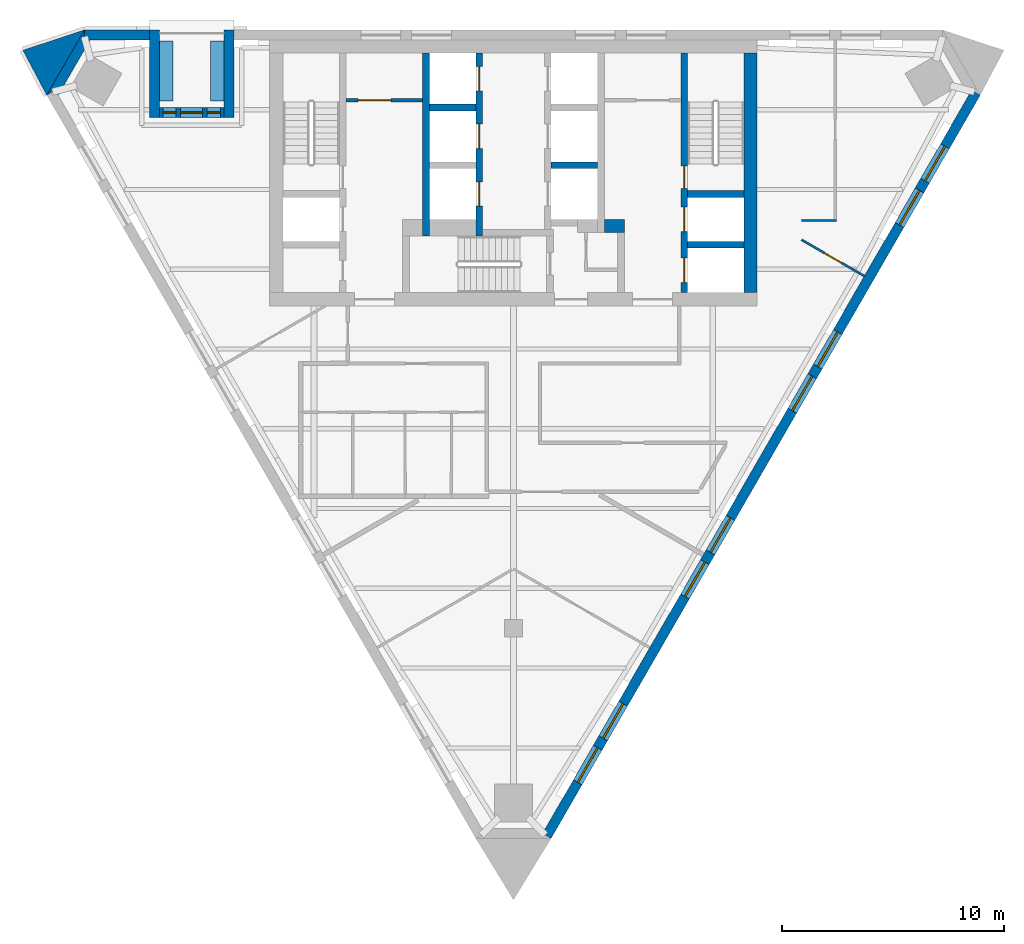
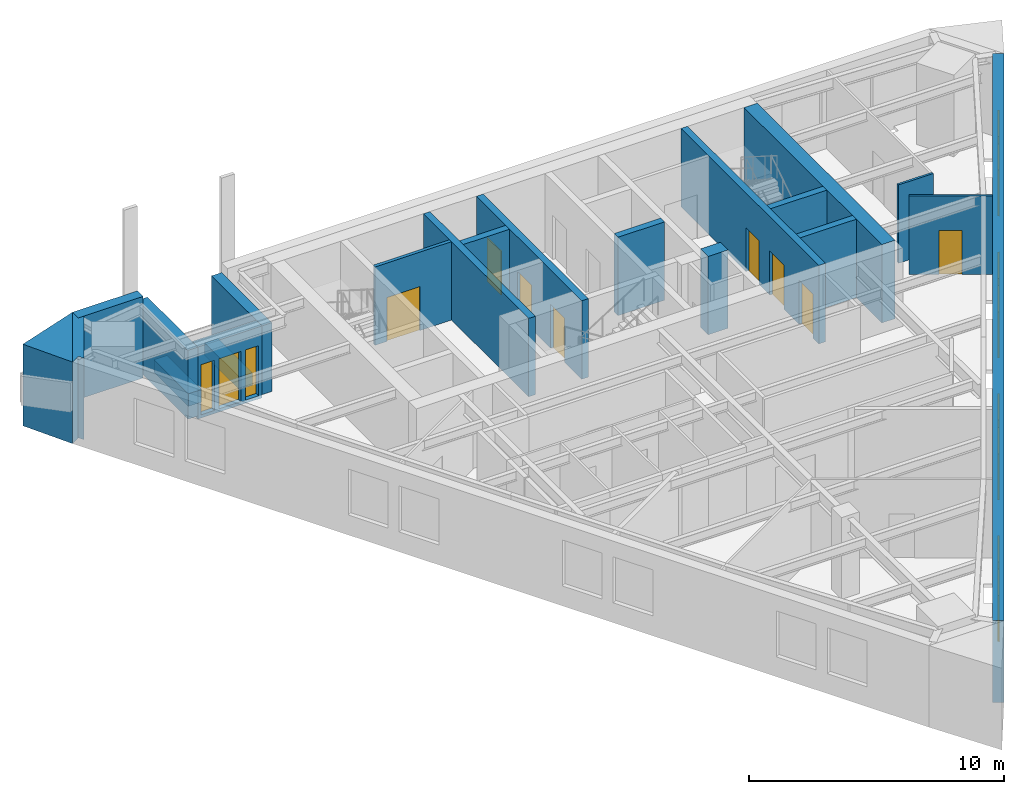
# One storey, part 4 of 6: 21 walls, 10 windows, 9 doors, 19 openings.
"""IFC4 building model written with IfcOpenShell, lengths in metres."""

from ifc_helpers import new_model, si_unit, direction, frame, frame_2d, origin, place, context, subcontext, project, spatial, polyline, rectangle, outline, extrude, material, layer, layer_set, type_object, element, fill, save


model = new_model("IFC4")

# Units and contexts
model_context = context("Model", 3, precision=1e-05, world=origin(), true_north=direction((0.0, 1.0)))
body_context = subcontext(model_context, "Body", "Model", "MODEL_VIEW")
ifc_project = project(units=[si_unit("LENGTHUNIT", "METRE"), si_unit("AREAUNIT", "SQUARE_METRE"), si_unit("VOLUMEUNIT", "CUBIC_METRE"), si_unit("PLANEANGLEUNIT", "RADIAN"), si_unit("MASSUNIT", "GRAM", prefix="KILO")], contexts=[model_context])

# Site, building, storey
site_placement = place(None, origin())
site = spatial("IfcSite", under=ifc_project, at=site_placement, CompositionType="ELEMENT")
building_placement = place(site_placement, origin())
building = spatial("IfcBuilding", under=site, at=building_placement, Name="Aloe Facet Convention Tower", CompositionType="ELEMENT")
storey_placement = place(building_placement, frame((0.0, 0.0, 191.89990234375)))
storey = spatial("IfcBuildingStorey", under=building, at=storey_placement, Name="L48", CompositionType="ELEMENT", Elevation=191.89990234375)

# Wall, opening, door
ifc_material_1 = material(Name="Concrete blockwork partition", Category="masonry")
ifc_layer_1 = layer(ifc_material_1, 0.14990234375)
ifc_layer_set_1 = layer_set([ifc_layer_1], Name="CR-W-PART150")
wall_type_1 = type_object("IfcWallType", Name="CR-W-PART150", PredefinedType="PARTITIONING", material=ifc_layer_set_1)
wall_1_placement = place(storey_placement, frame((72.449951171875, 131.824951171875, 0.0), z_axis=(0.0, 0.0, 1.0), x_axis=(1.0, 0.0, 0.0)))
wall_1 = element("IfcWall", 1, at=wall_1_placement, inside=storey, type_object=wall_type_1, Name="Core partition L48-007", PredefinedType="PARTITIONING", context=body_context, shape_type="SweptSolid", body=[
    extrude(rectangle(XDim=3.449951171875, YDim=0.14990234375, at=frame_2d((1.72509765625, 0.0))), origin(), (0.0, 0.0, 1.0), 3.75),
])
opening_1_placement = place(wall_1_placement, frame((0.52490234375, 0.0, 0.0)))
opening_1 = element("IfcOpeningElement", 2, at=opening_1_placement, cuts=wall_1, Name="Opening L48-CD14", PredefinedType="OPENING", context=body_context, shape_type="SweptSolid", body=[
    extrude(rectangle(XDim=1.5, YDim=2.10009765625, at=frame_2d((0.75, 1.050048828125))), frame((0.0, 0.0849609375, 0.0), z_axis=(0.0, -1.0, 0.0), x_axis=(1.0, 0.0, 0.0)), (0.0, 0.0, 1.0), 0.169921875),
])
ifc_material_2 = material(Name="Steel fire-resisting door set FD60", Category="steel")
door_type_1 = type_object("IfcDoorType", Name="CR-D-REFUGE-1500-FD60-DD", OperationType="DOUBLE_DOOR_DOUBLE_SWING", PredefinedType="DOOR", material=ifc_material_2)
door_1_placement = place(opening_1_placement, origin())
door_1 = element("IfcDoor", 3, at=door_1_placement, inside=storey, type_object=door_type_1, Name="Core door L48-CD14", OperationType="DOUBLE_DOOR_DOUBLE_SWING", OverallHeight=2.10009765625, OverallWidth=1.5, PredefinedType="DOOR", context=body_context, shape_type="SweptSolid", body=[
    extrude(rectangle(XDim=1.5, YDim=2.10009765625, at=frame_2d((0.75, 1.050048828125))), frame((0.0, 0.02490234375, 0.0), z_axis=(0.0, -1.0, 0.0), x_axis=(1.0, 0.0, 0.0)), (0.0, 0.0, 1.0), 0.050048828125),
])
fill(opening_1, door_1)

# Walls
ifc_material_3 = material(Name="Concrete C50/60", Category="concrete")
ifc_layer_2 = layer(ifc_material_3, 0.300048828125)
ifc_layer_set_2 = layer_set([ifc_layer_2], Name="CR-W-RC300-C5060")
wall_type_2 = type_object("IfcWallType", Name="CR-W-RC300-C5060", PredefinedType="SOLIDWALL", material=ifc_layer_set_2)
wall_2_placement = place(storey_placement, frame((76.050048828125, 133.949951171875, 0.0), z_axis=(0.0, 0.0, 1.0), x_axis=(0.0, -1.0, 0.0)))
element("IfcWall", 4, at=wall_2_placement, inside=storey, type_object=wall_type_2, Name="Core wall L48-010", PredefinedType="SOLIDWALL", context=body_context, shape_type="SweptSolid", body=[
    extrude(rectangle(XDim=8.25, YDim=0.300048828125, at=frame_2d((4.125, 0.0))), origin(), (0.0, 0.0, 1.0), 3.75),
])
wall_3_placement = place(storey_placement, frame((76.199951171875, 131.5, 0.0), z_axis=(0.0, 0.0, 1.0), x_axis=(1.0, 0.0, 0.0)))
element("IfcWall", 5, at=wall_3_placement, inside=storey, type_object=wall_type_2, Name="Core wall L48-011", PredefinedType="SOLIDWALL", context=body_context, shape_type="SweptSolid", body=[
    extrude(rectangle(XDim=2.10009765625, YDim=0.300048828125, at=frame_2d((1.050048828125, 0.0))), origin(), (0.0, 0.0, 1.0), 3.75),
])

# Wall, openings, doors
wall_4_placement = place(storey_placement, frame((78.449951171875, 133.949951171875, 0.0), z_axis=(0.0, 0.0, 1.0), x_axis=(0.0, -1.0, 0.0)))
wall_4 = element("IfcWall", 6, at=wall_4_placement, inside=storey, type_object=wall_type_2, Name="Core wall L48-014", PredefinedType="SOLIDWALL", context=body_context, shape_type="SweptSolid", body=[
    extrude(rectangle(XDim=8.25, YDim=0.300048828125, at=frame_2d((4.125, 0.0))), origin(), (0.0, 0.0, 1.0), 3.75),
])
opening_2_placement = place(wall_4_placement, frame((0.60009765625, 0.0, 0.0)))
opening_2 = element("IfcOpeningElement", 7, at=opening_2_placement, cuts=wall_4, Name="Opening LD-B1-L48", PredefinedType="OPENING", context=body_context, shape_type="SweptSolid", body=[
    extrude(rectangle(XDim=1.10009765625, YDim=2.10009765625, at=frame_2d((0.550048828125, 1.050048828125))), frame((0.0, 0.16015625, 0.0), z_axis=(0.0, -1.0, 0.0), x_axis=(1.0, 0.0, 0.0)), (0.0, 0.0, 1.0), 0.320068359375),
])
opening_3_placement = place(wall_4_placement, frame((3.199951171875, 0.0, 0.0)))
opening_3 = element("IfcOpeningElement", 8, at=opening_3_placement, cuts=wall_4, Name="Opening LD-B2-L48", PredefinedType="OPENING", context=body_context, shape_type="SweptSolid", body=[
    extrude(rectangle(XDim=1.10009765625, YDim=2.10009765625, at=frame_2d((0.550048828125, 1.050048828125))), frame((0.0, 0.16015625, 0.0), z_axis=(0.0, -1.0, 0.0), x_axis=(1.0, 0.0, 0.0)), (0.0, 0.0, 1.0), 0.320068359375),
])
opening_4_placement = place(wall_4_placement, frame((5.800048828125, 0.0, 0.0)))
opening_4 = element("IfcOpeningElement", 9, at=opening_4_placement, cuts=wall_4, Name="Opening LD-B3-L48", PredefinedType="OPENING", context=body_context, shape_type="SweptSolid", body=[
    extrude(rectangle(XDim=1.10009765625, YDim=2.10009765625, at=frame_2d((0.550048828125, 1.050048828125))), frame((0.0, 0.16015625, 0.0), z_axis=(0.0, -1.0, 0.0), x_axis=(1.0, 0.0, 0.0)), (0.0, 0.0, 1.0), 0.320068359375),
])
ifc_material_4 = material(Name="Stainless steel sliding landing door", Category="steel")
door_type_2 = type_object("IfcDoorType", Name="CR-LD-1100-FD60-RIGHT", OperationType="SLIDING_TO_RIGHT", PredefinedType="DOOR", material=ifc_material_4)
door_2_placement = place(opening_2_placement, origin())
door_2 = element("IfcDoor", 10, at=door_2_placement, inside=storey, type_object=door_type_2, Name="Landing door B1 L48", OperationType="SLIDING_TO_RIGHT", OverallHeight=2.10009765625, OverallWidth=1.10009765625, PredefinedType="DOOR", context=body_context, shape_type="SweptSolid", body=[
    extrude(rectangle(XDim=1.10009765625, YDim=2.10009765625, at=frame_2d((0.550048828125, 1.050048828125))), frame((0.0, 0.02490234375, 0.0), z_axis=(0.0, -1.0, 0.0), x_axis=(1.0, 0.0, 0.0)), (0.0, 0.0, 1.0), 0.050048828125),
])
fill(opening_2, door_2)
door_3_placement = place(opening_3_placement, origin())
door_3 = element("IfcDoor", 11, at=door_3_placement, inside=storey, type_object=door_type_2, Name="Landing door B2 L48", OperationType="SLIDING_TO_RIGHT", OverallHeight=2.10009765625, OverallWidth=1.10009765625, PredefinedType="DOOR", context=body_context, shape_type="SweptSolid", body=[
    extrude(rectangle(XDim=1.10009765625, YDim=2.10009765625, at=frame_2d((0.550048828125, 1.050048828125))), frame((0.0, 0.02490234375, 0.0), z_axis=(0.0, -1.0, 0.0), x_axis=(1.0, 0.0, 0.0)), (0.0, 0.0, 1.0), 0.050048828125),
])
fill(opening_3, door_3)
door_4_placement = place(opening_4_placement, origin())
door_4 = element("IfcDoor", 12, at=door_4_placement, inside=storey, type_object=door_type_2, Name="Landing door B3 L48", OperationType="SLIDING_TO_RIGHT", OverallHeight=2.10009765625, OverallWidth=1.10009765625, PredefinedType="DOOR", context=body_context, shape_type="SweptSolid", body=[
    extrude(rectangle(XDim=1.10009765625, YDim=2.10009765625, at=frame_2d((0.550048828125, 1.050048828125))), frame((0.0, 0.02490234375, 0.0), z_axis=(0.0, -1.0, 0.0), x_axis=(1.0, 0.0, 0.0)), (0.0, 0.0, 1.0), 0.050048828125),
])
fill(opening_4, door_4)

# Wall
wall_5_placement = place(storey_placement, frame((81.699951171875, 128.89990234375, 0.0), z_axis=(0.0, 0.0, 1.0), x_axis=(1.0, 0.0, 0.0)))
element("IfcWall", 13, at=wall_5_placement, inside=storey, type_object=wall_type_2, Name="Core wall L48-019", PredefinedType="SOLIDWALL", context=body_context, shape_type="SweptSolid", body=[
    extrude(rectangle(XDim=2.10009765625, YDim=0.300048828125, at=frame_2d((1.050048828125, 0.0))), origin(), (0.0, 0.0, 1.0), 3.75),
])

# Wall, openings, doors
wall_6_placement = place(storey_placement, frame((87.699951171875, 133.949951171875, 0.0), z_axis=(0.0, 0.0, 1.0), x_axis=(0.0, -1.0, 0.0)))
wall_6 = element("IfcWall", 14, at=wall_6_placement, inside=storey, type_object=wall_type_2, Name="Core wall L48-028", PredefinedType="SOLIDWALL", context=body_context, shape_type="SweptSolid", body=[
    extrude(rectangle(XDim=10.800048828125, YDim=0.300048828125, at=frame_2d((5.39990234375, 0.0))), origin(), (0.0, 0.0, 1.0), 3.75),
])
opening_5_placement = place(wall_6_placement, frame((6.949951171875, 0.0, 0.0)))
opening_5 = element("IfcOpeningElement", 15, at=opening_5_placement, cuts=wall_6, Name="Opening LD-FF2-L48", PredefinedType="OPENING", context=body_context, shape_type="SweptSolid", body=[
    extrude(rectangle(XDim=1.10009765625, YDim=2.10009765625, at=frame_2d((0.550048828125, 1.050048828125))), frame((0.0, 0.16015625, 0.0), z_axis=(0.0, -1.0, 0.0), x_axis=(1.0, 0.0, 0.0)), (0.0, 0.0, 1.0), 0.320068359375),
])
opening_6_placement = place(wall_6_placement, frame((5.10009765625, 0.0, 0.0)))
opening_6 = element("IfcOpeningElement", 16, at=opening_6_placement, cuts=wall_6, Name="Opening L48-CD17", PredefinedType="OPENING", context=body_context, shape_type="SweptSolid", body=[
    extrude(rectangle(XDim=1.0, YDim=2.10009765625, at=frame_2d((0.5, 1.050048828125))), frame((0.0, 0.16015625, 0.0), z_axis=(0.0, -1.0, 0.0), x_axis=(1.0, 0.0, 0.0)), (0.0, 0.0, 1.0), 0.320068359375),
])
opening_7_placement = place(wall_6_placement, frame((9.25, 0.0, 0.0)))
opening_7 = element("IfcOpeningElement", 17, at=opening_7_placement, cuts=wall_6, Name="Opening LD-SV1-L48", PredefinedType="OPENING", context=body_context, shape_type="SweptSolid", body=[
    extrude(rectangle(XDim=1.10009765625, YDim=2.10009765625, at=frame_2d((0.550048828125, 1.050048828125))), frame((0.0, 0.16015625, 0.0), z_axis=(0.0, -1.0, 0.0), x_axis=(1.0, 0.0, 0.0)), (0.0, 0.0, 1.0), 0.320068359375),
])
ifc_material_5 = material(Name="Steel fire-resisting door set FD120", Category="steel")
door_type_3 = type_object("IfcDoorType", Name="CR-D-STAIR-1000-FD120-SLEFT", OperationType="SINGLE_SWING_LEFT", PredefinedType="DOOR", material=ifc_material_5)
door_5_placement = place(opening_6_placement, origin())
door_5 = element("IfcDoor", 18, at=door_5_placement, inside=storey, type_object=door_type_3, Name="Core door L48-CD17", OperationType="SINGLE_SWING_LEFT", OverallHeight=2.10009765625, OverallWidth=1.0, PredefinedType="DOOR", context=body_context, shape_type="SweptSolid", body=[
    extrude(rectangle(XDim=1.0, YDim=2.10009765625, at=frame_2d((0.5, 1.050048828125))), frame((0.0, 0.02490234375, 0.0), z_axis=(0.0, -1.0, 0.0), x_axis=(1.0, 0.0, 0.0)), (0.0, 0.0, 1.0), 0.050048828125),
])
fill(opening_6, door_5)
ifc_material_6 = material(Name="Stainless steel sliding landing door", Category="steel")
door_type_4 = type_object("IfcDoorType", Name="CR-LD-1100-FD120-_LEFT", OperationType="SLIDING_TO_LEFT", PredefinedType="DOOR", material=ifc_material_6)
door_6_placement = place(opening_5_placement, origin())
door_6 = element("IfcDoor", 19, at=door_6_placement, inside=storey, type_object=door_type_4, Name="Landing door FF2 L48", OperationType="SLIDING_TO_LEFT", OverallHeight=2.10009765625, OverallWidth=1.10009765625, PredefinedType="DOOR", context=body_context, shape_type="SweptSolid", body=[
    extrude(rectangle(XDim=1.10009765625, YDim=2.10009765625, at=frame_2d((0.550048828125, 1.050048828125))), frame((0.0, 0.02490234375, 0.0), z_axis=(0.0, -1.0, 0.0), x_axis=(1.0, 0.0, 0.0)), (0.0, 0.0, 1.0), 0.050048828125),
])
fill(opening_5, door_6)
door_7_placement = place(opening_7_placement, origin())
door_7 = element("IfcDoor", 20, at=door_7_placement, inside=storey, type_object=door_type_4, Name="Landing door SV1 L48", OperationType="SLIDING_TO_LEFT", OverallHeight=2.10009765625, OverallWidth=1.10009765625, PredefinedType="DOOR", context=body_context, shape_type="SweptSolid", body=[
    extrude(rectangle(XDim=1.10009765625, YDim=2.10009765625, at=frame_2d((0.550048828125, 1.050048828125))), frame((0.0, 0.02490234375, 0.0), z_axis=(0.0, -1.0, 0.0), x_axis=(1.0, 0.0, 0.0)), (0.0, 0.0, 1.0), 0.050048828125),
])
fill(opening_7, door_7)

# Walls
for number, where, z_axis, x_axis, name in (
    (21, (87.85009765625, 127.60009765625, 0.0), (0.0, 0.0, 1.0), (1.0, 0.0, 0.0), "Core wall L48-029"),
    (22, (87.85009765625, 125.300048828125, 0.0), (0.0, 0.0, 1.0), (1.0, 0.0, 0.0), "Core wall L48-030"),
):
    element("IfcWall", number, at=place(storey_placement, frame(where, z_axis=z_axis, x_axis=x_axis)), inside=storey, type_object=wall_type_2, Name=name, PredefinedType="SOLIDWALL", context=body_context, shape_type="SweptSolid", body=[
        extrude(rectangle(XDim=2.5498046875, YDim=0.300048828125, at=frame_2d((1.27490234375, 0.0))), origin(), (0.0, 0.0, 1.0), 3.75),
    ])
ifc_material_7 = material(Name="Concrete C50/60", Category="concrete")
ifc_layer_3 = layer(ifc_material_7, 0.60009765625)
ifc_layer_set_3 = layer_set([ifc_layer_3], Name="CR-W-RC600-C5060")
wall_type_3 = type_object("IfcWallType", Name="CR-W-RC600-C5060", PredefinedType="SOLIDWALL", material=ifc_layer_set_3)
wall_7_placement = place(storey_placement, frame((84.10009765625, 126.14990234375, 0.0), z_axis=(0.0, 0.0, 1.0), x_axis=(1.0, 0.0, 0.0)))
element("IfcWall", 23, at=wall_7_placement, inside=storey, type_object=wall_type_3, Name="Core wall L48-026", PredefinedType="SOLIDWALL", context=body_context, shape_type="SweptSolid", body=[
    extrude(rectangle(XDim=0.89990234375, YDim=0.60009765625, at=frame_2d((0.449951171875, 0.0))), origin(), (0.0, 0.0, 1.0), 3.75),
])
wall_8_placement = place(storey_placement, frame((90.699951171875, 133.949951171875, 0.0), z_axis=(0.0, 0.0, 1.0), x_axis=(0.0, -1.0, 0.0)))
element("IfcWall", 24, at=wall_8_placement, inside=storey, type_object=wall_type_3, Name="Core wall L48-031", PredefinedType="SOLIDWALL", context=body_context, shape_type="SweptSolid", body=[
    extrude(rectangle(XDim=10.800048828125, YDim=0.60009765625, at=frame_2d((5.39990234375, 0.0))), origin(), (0.0, 0.0, 1.0), 3.75),
])
ifc_material_8 = material(Name="Precast concrete C40/50", Category="concrete")
ifc_layer_4 = layer(ifc_material_8, 0.60009765625)
ifc_layer_set_4 = layer_set([ifc_layer_4], Name="EV-PLANTER")
wall_type_4 = type_object("IfcWallType", Name="EV-PLANTER", PredefinedType="STANDARD", material=ifc_layer_set_4)
for number, where, z_axis, x_axis, name in (
    (25, (66.62646484375, 134.5, 0.0), (0.0, 0.0, 1.0), (0.0, -1.0, 0.0), "PLANTER T10-1"),
    (26, (64.326416015625, 134.5, 0.0), (0.0, 0.0, 1.0), (0.0, -1.0, 0.0), "PLANTER T10-2"),
):
    element("IfcWall", number, at=place(storey_placement, frame(where, z_axis=z_axis, x_axis=x_axis)), inside=storey, type_object=wall_type_4, Name=name, PredefinedType="STANDARD", context=body_context, shape_type="SweptSolid", body=[
        extrude(rectangle(XDim=2.699951171875, YDim=0.60009765625, at=frame_2d((1.35009765625, 0.0))), origin(), (0.0, 0.0, 1.0), 0.60009765625),
    ])
ifc_material_9 = material(Name="Precast concrete C40/50", Category="concrete")
ifc_layer_5 = layer(ifc_material_9, 0.449951171875)
ifc_layer_set_5 = layer_set([ifc_layer_5], Name="EV-WALL-PIER")
wall_type_5 = type_object("IfcWallType", Name="EV-WALL-PIER", PredefinedType="SOLIDWALL", material=ifc_layer_set_5)
wall_9_placement = place(storey_placement, frame((0.0, 0.0, -0.14990234375)))
element("IfcWall", 27, at=wall_9_placement, inside=storey, type_object=wall_type_5, Name="EP-L48-A", PredefinedType="SOLIDWALL", context=body_context, shape_type="SweptSolid", body=[
    extrude(outline(polyline([(60.635498046875, 135.0), (60.635498046875, 134.550048828125), (60.895263671875, 134.550048828125), (59.455078125, 132.055419921875), (59.3251953125, 132.280517578125), (58.935302734375, 132.055419921875), (60.635498046875, 135.0)])), origin(), (0.0, 0.0, 1.0), 3.89990234375),
])
ifc_material_10 = material(Name="Precast concrete C40/50", Category="concrete")
ifc_layer_6 = layer(ifc_material_10, 3.947998046875)
ifc_layer_set_6 = layer_set([ifc_layer_6], Name="EV-WALL-SPINE")
wall_type_6 = type_object("IfcWallType", Name="EV-WALL-SPINE", PredefinedType="SOLIDWALL", material=ifc_layer_set_6)
wall_10_placement = place(storey_placement, frame((0.0, 0.0, -0.14990234375)))
element("IfcWall", 28, at=wall_10_placement, inside=storey, type_object=wall_type_6, Name="SP-NW-L48", PredefinedType="SOLIDWALL", context=body_context, shape_type="SweptSolid", body=[
    extrude(outline(polyline([(60.635498046875, 135.0), (57.862060546875, 134.08203125), (58.935302734375, 132.055419921875), (60.635498046875, 135.0)])), origin(), (0.0, 0.0, 1.0), 3.89990234375),
])
ifc_material_11 = material(Name="Precast concrete C40/50", Category="concrete")
ifc_layer_7 = layer(ifc_material_11, 0.449951171875)
ifc_layer_set_7 = layer_set([ifc_layer_7], Name="EV-WALL-STONE")
wall_type_7 = type_object("IfcWallType", Name="EV-WALL-STONE", PredefinedType="SOLIDWALL", material=ifc_layer_set_7)
wall_11_placement = place(storey_placement, frame((63.576416015625, 134.77490234375, -0.14990234375), z_axis=(0.0, 0.0, 1.0), x_axis=(-1.0, 0.0, 0.0)))
element("IfcWall", 29, at=wall_11_placement, inside=storey, type_object=wall_type_7, Name="EW-L48-N02", PredefinedType="SOLIDWALL", context=body_context, shape_type="SweptSolid", body=[
    extrude(outline(polyline([(2.941162109375, 3.89990234375), (2.941162109375, 0.0), (0.0, 0.0), (0.0, 3.89990234375), (2.941162109375, 3.89990234375)])), frame((0.0, 0.22509765625, 0.0), z_axis=(0.0, -1.0, 0.0), x_axis=(1.0, 0.0, 0.0)), (0.0, 0.0, 1.0), 0.449951171875),
])

# Wall, openings, windows
wall_12_placement = place(storey_placement, frame((81.505126953125, 98.62744140625, -0.14990234375), z_axis=(0.0, 0.0, 1.0), x_axis=(0.500002199942, 0.866024133644, 0.0)))
wall_12 = element("IfcWall", 30, at=wall_12_placement, inside=storey, type_object=wall_type_7, Name="EW-L48-E01", PredefinedType="SOLIDWALL", context=body_context, shape_type="SweptSolid", body=[
    extrude(outline(polyline([(38.729248046875, 0.0), (38.729248046875, 3.89990234375), (0.0, 3.89990234375), (0.0, 0.0), (38.729248046875, 0.0)])), frame((0.0, 0.22509765625, 0.0), z_axis=(0.0, -1.0, 0.0), x_axis=(1.0, 0.0, 0.0)), (0.0, 0.0, 1.0), 0.449951171875),
])
opening_8_placement = place(wall_12_placement, frame((2.791259765625, 0.0, 0.949951171875)))
opening_8 = element("IfcOpeningElement", 31, at=opening_8_placement, cuts=wall_12, Name="Opening W-L48-E01", PredefinedType="OPENING", context=body_context, shape_type="SweptSolid", body=[
    extrude(rectangle(XDim=1.800048828125, YDim=2.199951171875, at=frame_2d((0.89990234375, 1.10009765625))), frame((0.0, 0.23486328125, 0.0), z_axis=(0.0, -1.0, 0.0), x_axis=(1.0, 0.0, 0.0)), (0.0, 0.0, 1.0), 0.469970703125),
])
opening_9_placement = place(wall_12_placement, frame((5.091064453125, 0.0, 0.949951171875)))
opening_9 = element("IfcOpeningElement", 32, at=opening_9_placement, cuts=wall_12, Name="Opening W-L48-E02", PredefinedType="OPENING", context=body_context, shape_type="SweptSolid", body=[
    extrude(rectangle(XDim=1.800048828125, YDim=2.199951171875, at=frame_2d((0.89990234375, 1.10009765625))), frame((0.0, 0.23486328125, 0.0), z_axis=(0.0, -1.0, 0.0), x_axis=(1.0, 0.0, 0.0)), (0.0, 0.0, 1.0), 0.469970703125),
])
opening_10_placement = place(wall_12_placement, frame((12.473388671875, 0.0, 0.949951171875)))
opening_10 = element("IfcOpeningElement", 33, at=opening_10_placement, cuts=wall_12, Name="Opening W-L48-E03", PredefinedType="OPENING", context=body_context, shape_type="SweptSolid", body=[
    extrude(rectangle(XDim=1.800048828125, YDim=2.199951171875, at=frame_2d((0.89990234375, 1.10009765625))), frame((0.0, 0.23486328125, 0.0), z_axis=(0.0, -1.0, 0.0), x_axis=(1.0, 0.0, 0.0)), (0.0, 0.0, 1.0), 0.469970703125),
])
opening_11_placement = place(wall_12_placement, frame((14.7734375, 0.0, 0.949951171875)))
opening_11 = element("IfcOpeningElement", 34, at=opening_11_placement, cuts=wall_12, Name="Opening W-L48-E04", PredefinedType="OPENING", context=body_context, shape_type="SweptSolid", body=[
    extrude(rectangle(XDim=1.800048828125, YDim=2.199951171875, at=frame_2d((0.89990234375, 1.10009765625))), frame((0.0, 0.23486328125, 0.0), z_axis=(0.0, -1.0, 0.0), x_axis=(1.0, 0.0, 0.0)), (0.0, 0.0, 1.0), 0.469970703125),
])
opening_12_placement = place(wall_12_placement, frame((22.15576171875, 0.0, 0.949951171875)))
opening_12 = element("IfcOpeningElement", 35, at=opening_12_placement, cuts=wall_12, Name="Opening W-L48-E05", PredefinedType="OPENING", context=body_context, shape_type="SweptSolid", body=[
    extrude(rectangle(XDim=1.800048828125, YDim=2.199951171875, at=frame_2d((0.89990234375, 1.10009765625))), frame((0.0, 0.23486328125, 0.0), z_axis=(0.0, -1.0, 0.0), x_axis=(1.0, 0.0, 0.0)), (0.0, 0.0, 1.0), 0.469970703125),
])
opening_13_placement = place(wall_12_placement, frame((24.455810546875, 0.0, 0.949951171875)))
opening_13 = element("IfcOpeningElement", 36, at=opening_13_placement, cuts=wall_12, Name="Opening W-L48-E06", PredefinedType="OPENING", context=body_context, shape_type="SweptSolid", body=[
    extrude(rectangle(XDim=1.800048828125, YDim=2.199951171875, at=frame_2d((0.89990234375, 1.10009765625))), frame((0.0, 0.23486328125, 0.0), z_axis=(0.0, -1.0, 0.0), x_axis=(1.0, 0.0, 0.0)), (0.0, 0.0, 1.0), 0.469970703125),
])
opening_14_placement = place(wall_12_placement, frame((31.838134765625, 0.0, 0.949951171875)))
opening_14 = element("IfcOpeningElement", 37, at=opening_14_placement, cuts=wall_12, Name="Opening W-L48-E07", PredefinedType="OPENING", context=body_context, shape_type="SweptSolid", body=[
    extrude(rectangle(XDim=1.800048828125, YDim=2.199951171875, at=frame_2d((0.89990234375, 1.10009765625))), frame((0.0, 0.23486328125, 0.0), z_axis=(0.0, -1.0, 0.0), x_axis=(1.0, 0.0, 0.0)), (0.0, 0.0, 1.0), 0.469970703125),
])
opening_15_placement = place(wall_12_placement, frame((34.13818359375, 0.0, 0.949951171875)))
opening_15 = element("IfcOpeningElement", 38, at=opening_15_placement, cuts=wall_12, Name="Opening W-L48-E08", PredefinedType="OPENING", context=body_context, shape_type="SweptSolid", body=[
    extrude(rectangle(XDim=1.800048828125, YDim=2.199951171875, at=frame_2d((0.89990234375, 1.10009765625))), frame((0.0, 0.23486328125, 0.0), z_axis=(0.0, -1.0, 0.0), x_axis=(1.0, 0.0, 0.0)), (0.0, 0.0, 1.0), 0.469970703125),
])
ifc_material_12 = material(Name="Aluminium frame, clear double glazing", Category="aluminium")
window_type_1 = type_object("IfcWindowType", Name="EV-WIN-O18", PartitioningType="SINGLE_PANEL", PredefinedType="WINDOW", material=ifc_material_12)
window_1_placement = place(opening_8_placement, origin())
window_1 = element("IfcWindow", 39, at=window_1_placement, inside=storey, type_object=window_type_1, Name="W-L48-E01", OverallHeight=2.199951171875, OverallWidth=1.800048828125, PartitioningType="SINGLE_PANEL", PredefinedType="WINDOW", context=body_context, shape_type="SweptSolid", body=[
    extrude(rectangle(XDim=1.800048828125, YDim=2.199951171875, at=frame_2d((0.89990234375, 1.10009765625))), frame((0.0, 0.030029296875, 0.0), z_axis=(0.0, -1.0, 0.0), x_axis=(1.0, 0.0, 0.0)), (0.0, 0.0, 1.0), 0.06005859375),
])
fill(opening_8, window_1)
window_2_placement = place(opening_9_placement, origin())
window_2 = element("IfcWindow", 40, at=window_2_placement, inside=storey, type_object=window_type_1, Name="W-L48-E02", OverallHeight=2.199951171875, OverallWidth=1.800048828125, PartitioningType="SINGLE_PANEL", PredefinedType="WINDOW", context=body_context, shape_type="SweptSolid", body=[
    extrude(rectangle(XDim=1.800048828125, YDim=2.199951171875, at=frame_2d((0.89990234375, 1.10009765625))), frame((0.0, 0.030029296875, 0.0), z_axis=(0.0, -1.0, 0.0), x_axis=(1.0, 0.0, 0.0)), (0.0, 0.0, 1.0), 0.06005859375),
])
fill(opening_9, window_2)
window_3_placement = place(opening_10_placement, origin())
window_3 = element("IfcWindow", 41, at=window_3_placement, inside=storey, type_object=window_type_1, Name="W-L48-E03", OverallHeight=2.199951171875, OverallWidth=1.800048828125, PartitioningType="SINGLE_PANEL", PredefinedType="WINDOW", context=body_context, shape_type="SweptSolid", body=[
    extrude(rectangle(XDim=1.800048828125, YDim=2.199951171875, at=frame_2d((0.89990234375, 1.10009765625))), frame((0.0, 0.030029296875, 0.0), z_axis=(0.0, -1.0, 0.0), x_axis=(1.0, 0.0, 0.0)), (0.0, 0.0, 1.0), 0.06005859375),
])
fill(opening_10, window_3)
window_4_placement = place(opening_11_placement, origin())
window_4 = element("IfcWindow", 42, at=window_4_placement, inside=storey, type_object=window_type_1, Name="W-L48-E04", OverallHeight=2.199951171875, OverallWidth=1.800048828125, PartitioningType="SINGLE_PANEL", PredefinedType="WINDOW", context=body_context, shape_type="SweptSolid", body=[
    extrude(rectangle(XDim=1.800048828125, YDim=2.199951171875, at=frame_2d((0.89990234375, 1.10009765625))), frame((0.0, 0.030029296875, 0.0), z_axis=(0.0, -1.0, 0.0), x_axis=(1.0, 0.0, 0.0)), (0.0, 0.0, 1.0), 0.06005859375),
])
fill(opening_11, window_4)
window_5_placement = place(opening_12_placement, origin())
window_5 = element("IfcWindow", 43, at=window_5_placement, inside=storey, type_object=window_type_1, Name="W-L48-E05", OverallHeight=2.199951171875, OverallWidth=1.800048828125, PartitioningType="SINGLE_PANEL", PredefinedType="WINDOW", context=body_context, shape_type="SweptSolid", body=[
    extrude(rectangle(XDim=1.800048828125, YDim=2.199951171875, at=frame_2d((0.89990234375, 1.10009765625))), frame((0.0, 0.030029296875, 0.0), z_axis=(0.0, -1.0, 0.0), x_axis=(1.0, 0.0, 0.0)), (0.0, 0.0, 1.0), 0.06005859375),
])
fill(opening_12, window_5)
window_6_placement = place(opening_13_placement, origin())
window_6 = element("IfcWindow", 44, at=window_6_placement, inside=storey, type_object=window_type_1, Name="W-L48-E06", OverallHeight=2.199951171875, OverallWidth=1.800048828125, PartitioningType="SINGLE_PANEL", PredefinedType="WINDOW", context=body_context, shape_type="SweptSolid", body=[
    extrude(rectangle(XDim=1.800048828125, YDim=2.199951171875, at=frame_2d((0.89990234375, 1.10009765625))), frame((0.0, 0.030029296875, 0.0), z_axis=(0.0, -1.0, 0.0), x_axis=(1.0, 0.0, 0.0)), (0.0, 0.0, 1.0), 0.06005859375),
])
fill(opening_13, window_6)
window_7_placement = place(opening_14_placement, origin())
window_7 = element("IfcWindow", 45, at=window_7_placement, inside=storey, type_object=window_type_1, Name="W-L48-E07", OverallHeight=2.199951171875, OverallWidth=1.800048828125, PartitioningType="SINGLE_PANEL", PredefinedType="WINDOW", context=body_context, shape_type="SweptSolid", body=[
    extrude(rectangle(XDim=1.800048828125, YDim=2.199951171875, at=frame_2d((0.89990234375, 1.10009765625))), frame((0.0, 0.030029296875, 0.0), z_axis=(0.0, -1.0, 0.0), x_axis=(1.0, 0.0, 0.0)), (0.0, 0.0, 1.0), 0.06005859375),
])
fill(opening_14, window_7)
window_8_placement = place(opening_15_placement, origin())
window_8 = element("IfcWindow", 46, at=window_8_placement, inside=storey, type_object=window_type_1, Name="W-L48-E08", OverallHeight=2.199951171875, OverallWidth=1.800048828125, PartitioningType="SINGLE_PANEL", PredefinedType="WINDOW", context=body_context, shape_type="SweptSolid", body=[
    extrude(rectangle(XDim=1.800048828125, YDim=2.199951171875, at=frame_2d((0.89990234375, 1.10009765625))), frame((0.0, 0.030029296875, 0.0), z_axis=(0.0, -1.0, 0.0), x_axis=(1.0, 0.0, 0.0)), (0.0, 0.0, 1.0), 0.06005859375),
])
fill(opening_15, window_8)

# Walls
for number, where, z_axis, x_axis, name in (
    (47, (67.151611328125, 135.0, 0.0), (0.0, 0.0, 1.0), (0.0, -1.0, 0.0), "TW-T10-1"),
    (48, (63.801513671875, 135.0, 0.0), (0.0, 0.0, 1.0), (0.0, -1.0, 0.0), "TW-T10-2"),
):
    element("IfcWall", number, at=place(storey_placement, frame(where, z_axis=z_axis, x_axis=x_axis)), inside=storey, type_object=wall_type_7, Name=name, PredefinedType="SOLIDWALL", context=body_context, shape_type="SweptSolid", body=[
        extrude(rectangle(XDim=3.949951171875, YDim=0.449951171875, at=frame_2d((1.97509765625, 0.0))), origin(), (0.0, 0.0, 1.0), 3.2900390625),
    ])

# Wall, openings, door, windows
wall_13_placement = place(storey_placement, frame((66.926513671875, 131.27490234375, -0.14990234375), z_axis=(0.0, 0.0, 1.0), x_axis=(-1.0, 0.0, 0.0)))
wall_13 = element("IfcWall", 49, at=wall_13_placement, inside=storey, type_object=wall_type_7, Name="TB-T10-L48", PredefinedType="SOLIDWALL", context=body_context, shape_type="SweptSolid", body=[
    extrude(rectangle(XDim=2.89990234375, YDim=0.449951171875, at=frame_2d((1.449951171875, 0.0))), origin(), (0.0, 0.0, 1.0), 3.43994140625),
])
opening_16_placement = place(wall_13_placement, frame((0.949951171875, 0.0, 0.14990234375)))
opening_16 = element("IfcOpeningElement", 50, at=opening_16_placement, cuts=wall_13, Name="Opening D-T10", PredefinedType="OPENING", context=body_context, shape_type="SweptSolid", body=[
    extrude(rectangle(XDim=1.0, YDim=2.39990234375, at=frame_2d((0.5, 1.199951171875))), frame((0.0, 0.23486328125, 0.0), z_axis=(0.0, -1.0, 0.0), x_axis=(1.0, 0.0, 0.0)), (0.0, 0.0, 1.0), 0.469970703125),
])
opening_17_placement = place(wall_13_placement, frame((0.14990234375, 0.0, 0.14990234375)))
opening_17 = element("IfcOpeningElement", 51, at=opening_17_placement, cuts=wall_13, Name="Opening G-T10-1", PredefinedType="OPENING", context=body_context, shape_type="SweptSolid", body=[
    extrude(rectangle(XDim=0.60009765625, YDim=2.39990234375, at=frame_2d((0.300048828125, 1.199951171875))), frame((0.0, 0.23486328125, 0.0), z_axis=(0.0, -1.0, 0.0), x_axis=(1.0, 0.0, 0.0)), (0.0, 0.0, 1.0), 0.469970703125),
])
opening_18_placement = place(wall_13_placement, frame((2.14990234375, 0.0, 0.14990234375)))
opening_18 = element("IfcOpeningElement", 52, at=opening_18_placement, cuts=wall_13, Name="Opening G-T10-2", PredefinedType="OPENING", context=body_context, shape_type="SweptSolid", body=[
    extrude(rectangle(XDim=0.60009765625, YDim=2.39990234375, at=frame_2d((0.300048828125, 1.199951171875))), frame((0.0, 0.23486328125, 0.0), z_axis=(0.0, -1.0, 0.0), x_axis=(1.0, 0.0, 0.0)), (0.0, 0.0, 1.0), 0.469970703125),
])
ifc_material_13 = material(Name="Aluminium frame, clear double glazing", Category="aluminium")
door_type_5 = type_object("IfcDoorType", Name="EV-DOOR-TERR", OperationType="SINGLE_SWING_LEFT", PredefinedType="DOOR", material=ifc_material_13)
door_8_placement = place(opening_16_placement, origin())
door_8 = element("IfcDoor", 53, at=door_8_placement, inside=storey, type_object=door_type_5, Name="D-T10", OperationType="SINGLE_SWING_LEFT", OverallHeight=2.39990234375, OverallWidth=1.0, PredefinedType="DOOR", context=body_context, shape_type="SweptSolid", body=[
    extrude(rectangle(XDim=1.0, YDim=2.39990234375, at=frame_2d((0.5, 1.199951171875))), frame((0.0, 0.02490234375, 0.0), z_axis=(0.0, -1.0, 0.0), x_axis=(1.0, 0.0, 0.0)), (0.0, 0.0, 1.0), 0.050048828125),
])
fill(opening_16, door_8)
ifc_material_14 = material(Name="Aluminium frame, clear double glazing", Category="aluminium")
window_type_2 = type_object("IfcWindowType", Name="EV-WIN-SL60", PartitioningType="SINGLE_PANEL", PredefinedType="WINDOW", material=ifc_material_14)
window_9_placement = place(opening_17_placement, origin())
window_9 = element("IfcWindow", 54, at=window_9_placement, inside=storey, type_object=window_type_2, Name="G-T10-1", OverallHeight=2.39990234375, OverallWidth=0.60009765625, PartitioningType="SINGLE_PANEL", PredefinedType="WINDOW", context=body_context, shape_type="SweptSolid", body=[
    extrude(rectangle(XDim=0.60009765625, YDim=2.39990234375, at=frame_2d((0.300048828125, 1.199951171875))), frame((0.0, 0.030029296875, 0.0), z_axis=(0.0, -1.0, 0.0), x_axis=(1.0, 0.0, 0.0)), (0.0, 0.0, 1.0), 0.06005859375),
])
fill(opening_17, window_9)
window_10_placement = place(opening_18_placement, origin())
window_10 = element("IfcWindow", 55, at=window_10_placement, inside=storey, type_object=window_type_2, Name="G-T10-2", OverallHeight=2.39990234375, OverallWidth=0.60009765625, PartitioningType="SINGLE_PANEL", PredefinedType="WINDOW", context=body_context, shape_type="SweptSolid", body=[
    extrude(rectangle(XDim=0.60009765625, YDim=2.39990234375, at=frame_2d((0.300048828125, 1.199951171875))), frame((0.0, 0.030029296875, 0.0), z_axis=(0.0, -1.0, 0.0), x_axis=(1.0, 0.0, 0.0)), (0.0, 0.0, 1.0), 0.06005859375),
])
fill(opening_18, window_10)

# Wall, opening, door
ifc_material_15 = material(Name="Gypsum board partition on steel studs", Category="steel")
ifc_layer_8 = layer(ifc_material_15, 0.10009765625)
ifc_layer_set_8 = layer_set([ifc_layer_8], Name="IN-W-PART")
wall_type_8 = type_object("IfcWallType", Name="IN-W-PART", PredefinedType="PARTITIONING", material=ifc_layer_set_8)
wall_14_placement = place(storey_placement, frame((93.0, 125.531494140625, 0.0), z_axis=(0.0, 0.0, 1.0), x_axis=(0.866035243948, -0.499982955949, 0.0)))
wall_14 = element("IfcWall", 56, at=wall_14_placement, inside=storey, type_object=wall_type_8, Name="Partition L48-W034", PredefinedType="PARTITIONING", context=body_context, shape_type="SweptSolid", body=[
    extrude(rectangle(XDim=3.27197265625, YDim=0.10009765625, at=frame_2d((1.635986328125, 0.0))), origin(), (0.0, 0.0, 1.0), 3.75),
])
opening_19_placement = place(wall_14_placement, frame((1.18603515625, 0.0, 0.0)))
opening_19 = element("IfcOpeningElement", 57, at=opening_19_placement, cuts=wall_14, Name="Opening L48-010", PredefinedType="OPENING", context=body_context, shape_type="SweptSolid", body=[
    extrude(rectangle(XDim=0.89990234375, YDim=2.10009765625, at=frame_2d((0.449951171875, 1.050048828125))), frame((0.0, 0.06005859375, 0.0), z_axis=(0.0, -1.0, 0.0), x_axis=(1.0, 0.0, 0.0)), (0.0, 0.0, 1.0), 0.1201171875),
])
ifc_material_16 = material(Name="Timber door", Category="wood")
door_type_6 = type_object("IfcDoorType", Name="IN-OFF-D-ROOM", OperationType="SINGLE_SWING_LEFT", PredefinedType="DOOR", material=ifc_material_16)
door_9_placement = place(opening_19_placement, origin())
door_9 = element("IfcDoor", 58, at=door_9_placement, inside=storey, type_object=door_type_6, Name="Door L48-010", OperationType="SINGLE_SWING_LEFT", OverallHeight=2.10009765625, OverallWidth=0.89990234375, PredefinedType="DOOR", context=body_context, shape_type="SweptSolid", body=[
    extrude(rectangle(XDim=0.89990234375, YDim=2.10009765625, at=frame_2d((0.449951171875, 1.050048828125))), frame((0.0, 0.02490234375, 0.0), z_axis=(0.0, -1.0, 0.0), x_axis=(1.0, 0.0, 0.0)), (0.0, 0.0, 1.0), 0.050048828125),
])
fill(opening_19, door_9)

# Wall
wall_15_placement = place(storey_placement, frame((93.0, 126.39990234375, 0.0), z_axis=(0.0, 0.0, 1.0), x_axis=(1.0, 0.0, 0.0)))
element("IfcWall", 59, at=wall_15_placement, inside=storey, type_object=wall_type_8, Name="Partition L48-W035", PredefinedType="PARTITIONING", context=body_context, shape_type="SweptSolid", body=[
    extrude(rectangle(XDim=1.571533203125, YDim=0.10009765625, at=frame_2d((0.78564453125, 0.0))), origin(), (0.0, 0.0, 1.0), 3.75),
])

save(model, "model.ifc")
